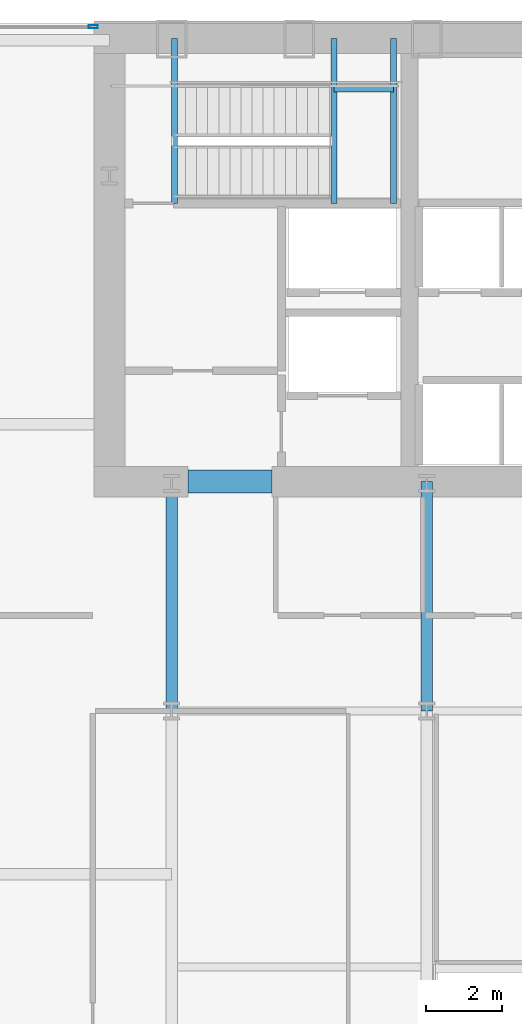
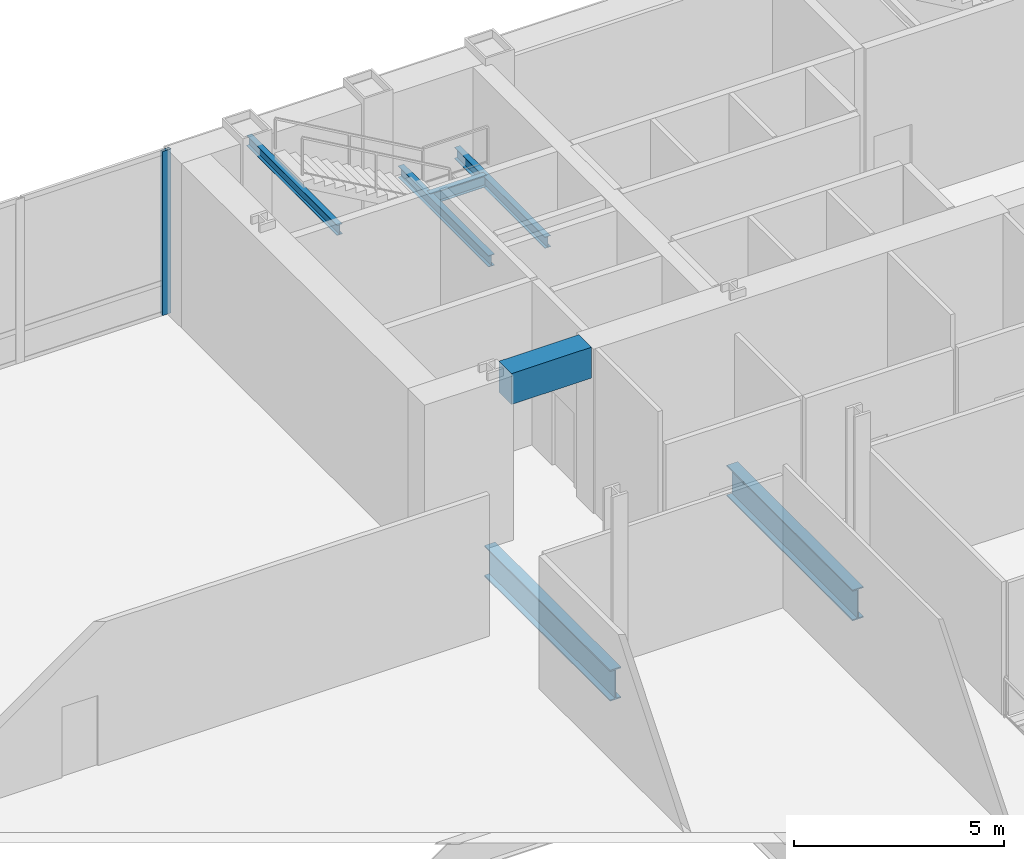
# One storey, part 11 of 25: 7 beams, 1 member, 1 element without a shape of its own.
"""IFC4 building model written with IfcOpenShell, lengths in metres."""

from ifc_helpers import new_model, si_unit, direction, frame, origin, origin_2d, place, context, subcontext, project, spatial, rectangle, hollow_rectangle, i_section, extrude, material, material_profile, profile_set, type_object, element, aggregate, save


model = new_model("IFC4")

# Units and contexts
model_context = context("Model", 3, precision=1e-05, world=origin(), true_north=direction((0.0, 1.0)))
body_context = subcontext(model_context, "Body", "Model", "MODEL_VIEW")
ifc_project = project(units=[si_unit("LENGTHUNIT", "METRE"), si_unit("AREAUNIT", "SQUARE_METRE"), si_unit("VOLUMEUNIT", "CUBIC_METRE"), si_unit("PLANEANGLEUNIT", "RADIAN"), si_unit("MASSUNIT", "GRAM", prefix="KILO")], contexts=[model_context])

# Site, building, storey
site_placement = place(None, origin())
site = spatial("IfcSite", under=ifc_project, at=site_placement, CompositionType="ELEMENT")
building_placement = place(site_placement, origin())
building = spatial("IfcBuilding", under=site, at=building_placement, Name="Khoronbel Lancet Exchange", CompositionType="ELEMENT")
storey_placement = place(building_placement, frame((0.0, 0.0, 15.39990234375)))
storey = spatial("IfcBuildingStorey", under=building, at=storey_placement, Name="L03", CompositionType="ELEMENT", Elevation=15.39990234375)

# Beams
ifc_material_1 = material(Name="Steel S355", Category="steel")
ifc_material_profile_1 = material_profile(ifc_material_1, i_section(OverallWidth=0.300048828125, OverallDepth=0.89990234375, WebThickness=0.0185546875, FlangeThickness=0.034912109375, at=origin_2d()), Name="HEB 900")
ifc_profile_set_1 = profile_set([ifc_material_profile_1], Name="Steel S355")
beam_type_1 = type_object("IfcBeamType", Name="BM-BG1", PredefinedType="BEAM", material=ifc_profile_set_1)
for number, where, z_axis, x_axis, name in (
    (1, (18.22509765625, 35.699951171875, -0.64990234375), (0.0, 1.0, 0.0), (-1.0, 0.0, 0.0), "Level L03 spine tie girder GN1"),
    (2, (24.89990234375, 35.699951171875, -0.64990234375), (0.0, 1.0, 0.0), (-1.0, 0.0, 0.0), "Level L03 spine tie girder GN2"),
):
    element("IfcBeam", number, at=place(storey_placement, frame(where, z_axis=z_axis, x_axis=x_axis)), inside=storey, type_object=beam_type_1, Name=name, PredefinedType="BEAM", context=body_context, shape_type="SweptSolid", body=[
        extrude(i_section(OverallWidth=0.300048828125, OverallDepth=0.89990234375, WebThickness=0.0185546875, FlangeThickness=0.034912109375, at=origin_2d()), origin(), (0.0, 0.0, 1.0), 6.0),
    ])
ifc_material_profile_2 = material_profile(ifc_material_1, i_section(OverallWidth=0.159912109375, OverallDepth=0.330078125, WebThickness=0.007568359375, FlangeThickness=0.011474609375, at=origin_2d()), Name="IPE 330")
ifc_profile_set_2 = profile_set([ifc_material_profile_2], Name="Steel S355")
beam_type_2 = type_object("IfcBeamType", Name="BM-BJ7", PredefinedType="JOIST", material=ifc_profile_set_2)
for number, where, z_axis, x_axis, name in (
    (3, (22.47998046875, 48.97998046875, 2.135009765625), (0.0, 1.0, 0.0), (-1.0, 0.0, 0.0), "Level L03 stair ST1 landing bearer beam 1"),
    (4, (24.030029296875, 48.97998046875, 2.135009765625), (0.0, 1.0, 0.0), (-1.0, 0.0, 0.0), "Level L03 stair ST1 rear landing bearer beam 1"),
):
    element("IfcBeam", number, at=place(storey_placement, frame(where, z_axis=z_axis, x_axis=x_axis)), inside=storey, type_object=beam_type_2, Name=name, PredefinedType="JOIST", context=body_context, shape_type="SweptSolid", body=[
        extrude(i_section(OverallWidth=0.159912109375, OverallDepth=0.330078125, WebThickness=0.007568359375, FlangeThickness=0.011474609375, at=origin_2d()), origin(), (0.0, 0.0, 1.0), 4.320068359375),
    ])
beam_1_placement = place(storey_placement, frame((22.47998046875, 51.97998046875, 2.135009765625), z_axis=(1.0, 0.0, 0.0), x_axis=(0.0, 1.0, 0.0)))
element("IfcBeam", 5, at=beam_1_placement, inside=storey, type_object=beam_type_2, Name="Level L03 stair ST1 landing cross trimmer beam 1", PredefinedType="JOIST", context=body_context, shape_type="SweptSolid", body=[
    extrude(i_section(OverallWidth=0.159912109375, OverallDepth=0.330078125, WebThickness=0.007568359375, FlangeThickness=0.011474609375, at=origin_2d()), origin(), (0.0, 0.0, 1.0), 1.550048828125),
])
ifc_material_profile_3 = material_profile(ifc_material_1, i_section(OverallWidth=0.14990234375, OverallDepth=0.300048828125, WebThickness=0.007080078125, FlangeThickness=0.0107421875, at=origin_2d()), Name="IPE 300")
ifc_profile_set_3 = profile_set([ifc_material_profile_3], Name="Steel S355")
beam_type_3 = type_object("IfcBeamType", Name="BM-BJ8", PredefinedType="JOIST", material=ifc_profile_set_3)
beam_2_placement = place(storey_placement, frame((18.300048828125, 48.97998046875, 4.5), z_axis=(0.0, 1.0, 0.0), x_axis=(-1.0, 0.0, 0.0)))
element("IfcBeam", 6, at=beam_2_placement, inside=storey, type_object=beam_type_3, Name="Level L03 stair ST1 upper-flight arrival trimmer beam", PredefinedType="JOIST", context=body_context, shape_type="SweptSolid", body=[
    extrude(i_section(OverallWidth=0.14990234375, OverallDepth=0.300048828125, WebThickness=0.007080078125, FlangeThickness=0.0107421875, at=origin_2d()), origin(), (0.0, 0.0, 1.0), 4.320068359375),
])
ifc_material_2 = material(Name="Concrete C80/95", Category="concrete")
ifc_material_profile_4 = material_profile(ifc_material_2, rectangle(XDim=0.60009765625, YDim=0.89990234375, at=origin_2d()), Name="RC 600x900")
ifc_profile_set_4 = profile_set([ifc_material_profile_4], Name="Concrete C80/95")
beam_type_4 = type_object("IfcBeamType", Name="BM-BL1", PredefinedType="LINTEL", material=ifc_profile_set_4)
beam_3_placement = place(storey_placement, frame((18.64990234375, 41.699951171875, 4.330078125), z_axis=(1.0, 0.0, 0.0), x_axis=(0.0, 1.0, 0.0)))
element("IfcBeam", 7, at=beam_3_placement, inside=storey, type_object=beam_type_4, Name="Level L03 rear core coupling lintel L1", PredefinedType="LINTEL", context=body_context, shape_type="SweptSolid", body=[
    extrude(rectangle(XDim=0.60009765625, YDim=0.89990234375, at=origin_2d()), origin(), (0.0, 0.0, 1.0), 2.2001953125),
])

# Curtain wall, member
ifc_material_3 = material(Name="Low-E Solar Control Insulating Glass", Category="glass")
curtain_wall_type = type_object("IfcCurtainWallType", Name="CW-5", PredefinedType="NOTDEFINED", material=ifc_material_3)
curtain_wall_placement = place(storey_placement, origin())
curtain_wall = element("IfcCurtainWall", 8, at=curtain_wall_placement, inside=storey, type_object=curtain_wall_type, Name="Unitised curtain wall CW-L03-NW", PredefinedType="NOTDEFINED")
ifc_material_4 = material(Name="Bronze-Anodised Aluminium 6063-T6", Category="aluminium")
ifc_material_profile_5 = material_profile(ifc_material_4, hollow_rectangle(XDim=0.0849609375, YDim=0.239990234375, WallThickness=0.006103515625, at=origin_2d()), Name="ALU MULLION 85x240")
ifc_profile_set_5 = profile_set([ifc_material_profile_5], Name="Bronze-Anodised Aluminium 6063-T6")
member_type = type_object("IfcMemberType", Name="MEM-CWM1", PredefinedType="MULLION", material=ifc_profile_set_5)
member_placement = place(storey_placement, frame((16.177490234375, 53.60009765625, 0.0), z_axis=(0.0, 0.0, 1.0), x_axis=(0.0, 1.0, 0.0)))
member = element("IfcMember", 9, at=member_placement, type_object=member_type, Name="CW5 mullion 4", PredefinedType="MULLION", context=body_context, shape_type="SweptSolid", body=[
    extrude(hollow_rectangle(XDim=0.0849609375, YDim=0.239990234375, WallThickness=0.006103515625, at=origin_2d()), origin(), (0.0, 0.0, 1.0), 4.780029296875),
])
aggregate(curtain_wall, [member])

save(model, "model.ifc")
